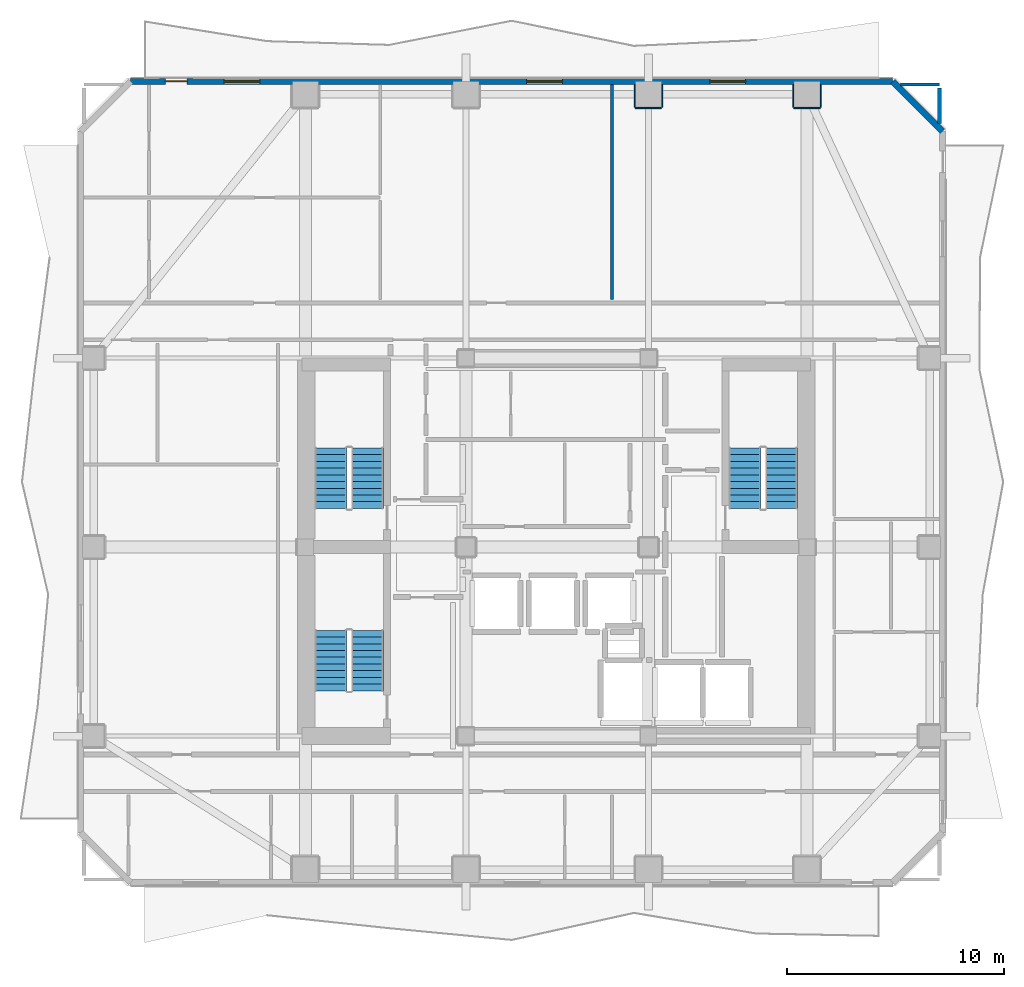
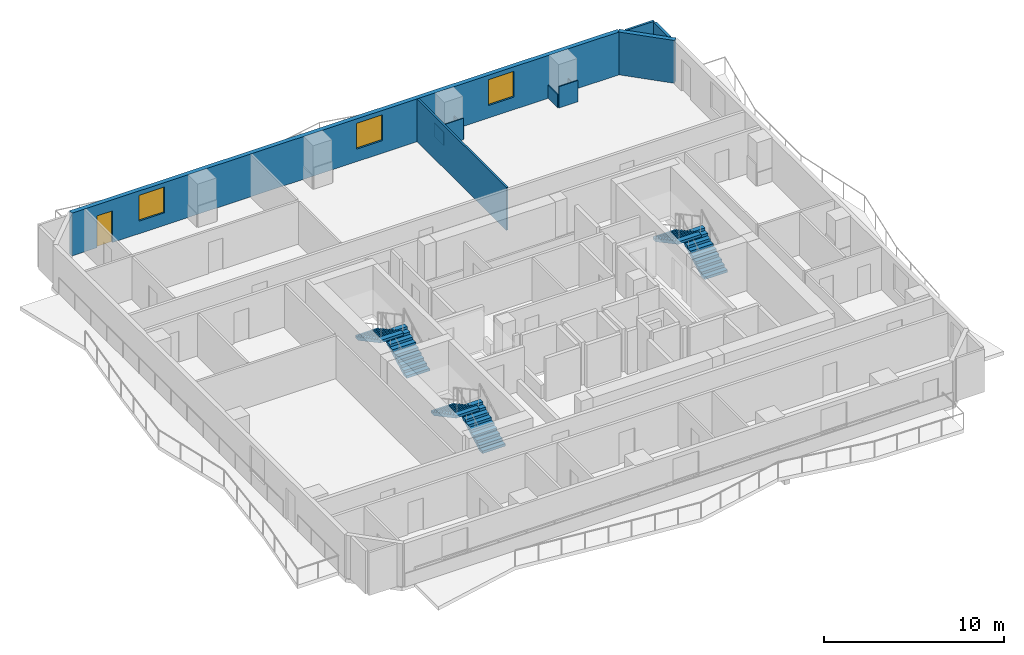
# One storey, part 6 of 10: 11 walls, 6 stair flights, 3 windows, 1 door, 4 openings, 3 elements without a shape of their own.
"""IFC4 building model written with IfcOpenShell, lengths in metres."""

import ifcopenshell
import ifcopenshell.guid

model = None  # the IFC model being written
_history = None  # IfcOwnerHistory: only IFC2X3 demands one
_inside = {}  # id of a spatial element -> (the spatial element, [elements in it])
_under = {}  # id of a project, library or spatial element -> (it, [spatial elements below it])
_declared = {}  # id of a project -> (the project, [libraries it declares])
_typed = {}  # id of a type object -> (the type object, [elements of that type])
_made_of = {}  # id of a material, layer set ... -> (it, [elements and type objects made of it])


def new_model(schema):
    """Start an empty IFC model of exactly this schema.

    Asked for "IFC4X3", IfcOpenShell would pick the latest addendum, in which some entities
    have other attributes; the version numbers below select the first issue.
    IFC2X3 requires an IfcOwnerHistory on every rooted entity: one is made here for all.
    """
    global model, _history
    if schema == "IFC4X3":
        model = ifcopenshell.file(schema_version=(4, 3, 0, 0))
    else:
        model = ifcopenshell.file(schema=schema)
    _inside.clear()
    _under.clear()
    _declared.clear()
    _typed.clear()
    _made_of.clear()
    _history = None
    if model.schema == "IFC2X3":
        org = make("IfcOrganization", Name="unknown")
        user = make(
            "IfcPersonAndOrganization",
            ThePerson=make("IfcPerson", FamilyName="unknown"),
            TheOrganization=org,
        )
        app = make(
            "IfcApplication",
            ApplicationDeveloper=org,
            Version="unknown",
            ApplicationFullName="unknown",
            ApplicationIdentifier="unknown",
        )
        _history = make(
            "IfcOwnerHistory",
            OwningUser=user,
            OwningApplication=app,
            ChangeAction="ADDED",
            CreationDate=0,
        )
    return model


def make(cls, **values):
    """One entity of the class cls with the attributes given. An attribute that is None is left unset."""
    return model.create_entity(
        cls, **{name: value for name, value in values.items() if value is not None}
    )


def rooted(cls, **values):
    """An entity with a GlobalId (a new one), such as an element, a storey or a relation."""
    return make(cls, GlobalId=ifcopenshell.guid.new(), OwnerHistory=_history, **values)


def si_unit(unit_type, name, prefix=None):
    """IfcSIUnit, for example si_unit("LENGTHUNIT", "METRE", prefix="MILLI")."""
    return make("IfcSIUnit", UnitType=unit_type, Prefix=prefix, Name=name)


def assignment(units):
    """IfcUnitAssignment: the units of a project."""
    return None if units is None else make("IfcUnitAssignment", Units=units)


def point(xyz):
    """IfcCartesianPoint."""
    return None if xyz is None else make("IfcCartesianPoint", Coordinates=xyz)


def direction(xyz):
    """IfcDirection."""
    return None if xyz is None else make("IfcDirection", DirectionRatios=xyz)


def frame(location, z_axis=None, x_axis=None):
    """IfcAxis2Placement3D, a coordinate frame: its origin and axes. An axis left out is left unset."""
    return make(
        "IfcAxis2Placement3D",
        Location=point(location),
        Axis=direction(z_axis),
        RefDirection=direction(x_axis),
    )


def frame_2d(location, x_axis=None):
    """IfcAxis2Placement2D, a coordinate frame in the plane: its origin and x axis."""
    return make(
        "IfcAxis2Placement2D", Location=point(location), RefDirection=direction(x_axis)
    )


def origin():
    """The frame at (0, 0, 0) with its axes left unset."""
    return frame((0.0, 0.0, 0.0))


def place(relative_to, where):
    """IfcLocalPlacement: puts the frame where relative to a parent placement (None: the world)."""
    return make(
        "IfcLocalPlacement", PlacementRelTo=relative_to, RelativePlacement=where
    )


def context(
    kind, dimensions, precision=None, world=None, true_north=None, identifier=None
):
    """IfcGeometricRepresentationContext, for example the 3D "Model" context."""
    return make(
        "IfcGeometricRepresentationContext",
        ContextIdentifier=identifier,
        ContextType=kind,
        CoordinateSpaceDimension=dimensions,
        Precision=precision,
        WorldCoordinateSystem=world,
        TrueNorth=true_north,
    )


def subcontext(parent, identifier, kind, view, scale=None):
    """IfcGeometricRepresentationSubContext, for example "Body" below "Model"."""
    return make(
        "IfcGeometricRepresentationSubContext",
        ContextIdentifier=identifier,
        ContextType=kind,
        ParentContext=parent,
        TargetScale=scale,
        TargetView=view,
    )


def project(units=None, contexts=None):
    """IfcProject with its units and contexts."""
    return rooted(
        "IfcProject",
        Name="project",
        RepresentationContexts=contexts,
        UnitsInContext=assignment(units),
    )


def spatial(cls, under=None, at=None, **own):
    """A site, building, storey or space (cls), placed at a placement, below another one or the project."""
    s = rooted(cls, ObjectPlacement=at, **own)
    if under is not None:
        _under.setdefault(under.id(), (under, []))[1].append(s)
    return s


def polyline(points):
    """IfcPolyline through the points."""
    return make("IfcPolyline", Points=[point(p) for p in points])


def profile(cls, at=None, kind="AREA", **sizes):
    """A parametric profile (cls). Its sizes go by their IFC names, for example OverallWidth=200.0."""
    return make(cls, ProfileType=kind, Position=at, **sizes)


def rectangle(**sizes):
    """IfcRectangleProfileDef."""
    return profile("IfcRectangleProfileDef", **sizes)


def outline(outer, holes=None, kind="AREA"):
    """IfcArbitraryClosedProfileDef: a profile drawn as a closed curve; with holes, ...WithVoids."""
    if holes is None:
        return make("IfcArbitraryClosedProfileDef", ProfileType=kind, OuterCurve=outer)
    return make(
        "IfcArbitraryProfileDefWithVoids",
        ProfileType=kind,
        OuterCurve=outer,
        InnerCurves=holes,
    )


def extrude(swept, where, along, depth):
    """IfcExtrudedAreaSolid: the profile swept, set in the frame where, extruded along a direction by depth."""
    return make(
        "IfcExtrudedAreaSolid",
        SweptArea=swept,
        Position=where,
        ExtrudedDirection=direction(along),
        Depth=depth,
    )


def shape(context_of_items, identifier, shape_type, items):
    """IfcShapeRepresentation: the items that make up one representation, for example the "Body"."""
    return make(
        "IfcShapeRepresentation",
        ContextOfItems=context_of_items,
        RepresentationIdentifier=identifier,
        RepresentationType=shape_type,
        Items=items,
    )


def material(Name=None, Category=None):
    """IfcMaterial."""
    return make("IfcMaterial", Name=Name, Category=Category)


def layer(
    of_material, thickness, ventilated=None, Name=None, Category=None, Priority=None
):
    """IfcMaterialLayer: one layer of a wall or slab, of a material (None: an air gap)."""
    return make(
        "IfcMaterialLayer",
        Material=of_material,
        LayerThickness=thickness,
        IsVentilated=ventilated,
        Name=Name,
        Category=Category,
        Priority=Priority,
    )


def layer_set(layers, Name=None):
    """IfcMaterialLayerSet."""
    return make("IfcMaterialLayerSet", MaterialLayers=layers, LayerSetName=Name)


def made_of(thing, what):
    """Note that an element or type object is made of a material, layer set ...; save() writes the relation."""
    if what is not None:
        _made_of.setdefault(what.id(), (what, []))[1].append(thing)
    return thing


def type_object(cls, material=None, **own):
    """A type object (cls), such as IfcWallType, which elements share."""
    return made_of(rooted(cls, **own), material)


def element(
    cls,
    number,
    at=None,
    inside=None,
    cuts=None,
    type_object=None,
    material=None,
    context=None,
    identifier="Body",
    shape_type=None,
    held_by="IfcProductDefinitionShape",
    body=None,
    shapes=None,
    **own,
):
    """One element of the class cls, such as IfcWall. Its Tag is "e" and its number.

    at: its placement. inside: the storey or other place that contains it. cuts: it is an
    opening in that element (IfcRelVoidsElement). A single representation is given by context,
    identifier, shape_type and body (its items); several are given by shapes. held_by: the class
    of the entity that holds the representations. save() writes the other relations.
    """
    e = rooted(cls, Tag="e%d" % number, ObjectPlacement=at, **own)
    if body is not None:
        shapes = [shape(context, identifier, shape_type, body)]
    if shapes is not None:
        e.Representation = make(held_by, Representations=shapes)
    if inside is not None:
        _inside.setdefault(inside.id(), (inside, []))[1].append(e)
    if cuts is not None:
        rooted(
            "IfcRelVoidsElement", RelatingBuildingElement=cuts, RelatedOpeningElement=e
        )
    if type_object is not None:
        _typed.setdefault(type_object.id(), (type_object, []))[1].append(e)
    return made_of(e, material)


def fill(opening, filler):
    """IfcRelFillsElement: the door or window that sits in an opening."""
    return rooted(
        "IfcRelFillsElement",
        RelatingOpeningElement=opening,
        RelatedBuildingElement=filler,
    )


def aggregate(whole, parts):
    """IfcRelAggregates: a whole, such as a stair, and the parts it consists of."""
    return rooted("IfcRelAggregates", RelatingObject=whole, RelatedObjects=parts)


def save(model, path):
    """Write the relations noted so far, then the file.

    IfcRelAggregates (storeys below a building ...), IfcRelContainedInSpatialStructure (elements
    in a storey), IfcRelDefinesByType, IfcRelAssociatesMaterial and IfcRelDeclares: one each for
    every whole, place, type object, material and project.
    """
    for whole, parts in _under.values():
        aggregate(whole, parts)
    for where, things in _inside.values():
        rooted(
            "IfcRelContainedInSpatialStructure",
            RelatedElements=things,
            RelatingStructure=where,
        )
    for kind, things in _typed.values():
        rooted("IfcRelDefinesByType", RelatedObjects=things, RelatingType=kind)
    for what, things in _made_of.values():
        rooted("IfcRelAssociatesMaterial", RelatedObjects=things, RelatingMaterial=what)
    for by, libraries in _declared.values():
        rooted("IfcRelDeclares", RelatingContext=by, RelatedDefinitions=libraries)
    model.write(path)


model = new_model("IFC4")

# Units and contexts
model_context = context("Model", 3, precision=1e-05, world=origin(), true_north=direction((0.0, 1.0)))
body_context = subcontext(model_context, "Body", "Model", "MODEL_VIEW")
ifc_project = project(units=[si_unit("LENGTHUNIT", "METRE"), si_unit("AREAUNIT", "SQUARE_METRE"), si_unit("VOLUMEUNIT", "CUBIC_METRE"), si_unit("PLANEANGLEUNIT", "RADIAN"), si_unit("MASSUNIT", "GRAM", prefix="KILO")], contexts=[model_context])

# Site, building, storey
site_placement = place(None, origin())
site = spatial("IfcSite", under=ifc_project, at=site_placement, CompositionType="ELEMENT")
building_placement = place(site_placement, origin())
building = spatial("IfcBuilding", under=site, at=building_placement, Name="Solanera Arch Residences", CompositionType="ELEMENT")
storey_placement = place(building_placement, frame((0.0, 0.0, 186.840087890625)))
storey = spatial("IfcBuildingStorey", under=building, at=storey_placement, Name="L54", CompositionType="ELEMENT", Elevation=186.840087890625)

# Walls
ifc_material_1 = material(Name="Fire-Rated Gypsum Stud Partition", Category="gypsum")
ifc_layer_1 = layer(ifc_material_1, 0.06005859375)
ifc_layer_set_1 = layer_set([ifc_layer_1], Name="Fire-Rated Gypsum Stud Partition")
wall_type_1 = type_object("IfcWallType", Name="Column Acoustic Furring Wall 60", PredefinedType="PARTITIONING", material=ifc_layer_set_1)
wall_1_placement = place(storey_placement, frame((28.60009765625, 50.91796875, 0.0), z_axis=(0.0, 0.0, 1.0), x_axis=(1.0, 0.0, 0.0)))
element("IfcWall", 1, at=wall_1_placement, inside=storey, type_object=wall_type_1, Name="L54 Column Furring 14S", PredefinedType="PARTITIONING", context=body_context, shape_type="SweptSolid", body=[
    extrude(rectangle(XDim=1.199951171875, YDim=0.06005859375, at=frame_2d((0.60009765625, 0.0))), origin(), (0.0, 0.0, 1.0), 1.449951171875),
])
for number, where, z_axis, x_axis, name in (
    (2, (28.568115234375, 50.949951171875, 0.0), (0.0, 0.0, 1.0), (0.0, 1.0, 0.0), "L54 Column Furring 14W"),
    (3, (29.83203125, 50.949951171875, 0.0), (0.0, 0.0, 1.0), (0.0, 1.0, 0.0), "L54 Column Furring 14E"),
):
    element("IfcWall", number, at=place(storey_placement, frame(where, z_axis=z_axis, x_axis=x_axis)), inside=storey, type_object=wall_type_1, Name=name, PredefinedType="PARTITIONING", context=body_context, shape_type="SweptSolid", body=[
        extrude(rectangle(XDim=1.0400390625, YDim=0.06005859375, at=frame_2d((0.52001953125, 0.0))), origin(), (0.0, 0.0, 1.0), 0.905029296875),
    ])
wall_2_placement = place(storey_placement, frame((35.89990234375, 50.91796875, 0.0), z_axis=(0.0, 0.0, 1.0), x_axis=(1.0, 0.0, 0.0)))
element("IfcWall", 4, at=wall_2_placement, inside=storey, type_object=wall_type_1, Name="L54 Column Furring 16S", PredefinedType="PARTITIONING", context=body_context, shape_type="SweptSolid", body=[
    extrude(rectangle(XDim=1.2001953125, YDim=0.06005859375, at=frame_2d((0.60009765625, 0.0))), origin(), (0.0, 0.0, 1.0), 1.449951171875),
])
for number, where, z_axis, x_axis, name in (
    (5, (35.867919921875, 50.949951171875, 0.0), (0.0, 0.0, 1.0), (0.0, 1.0, 0.0), "L54 Column Furring 16W"),
    (6, (37.132080078125, 50.949951171875, 0.0), (0.0, 0.0, 1.0), (0.0, 1.0, 0.0), "L54 Column Furring 16E"),
):
    element("IfcWall", number, at=place(storey_placement, frame(where, z_axis=z_axis, x_axis=x_axis)), inside=storey, type_object=wall_type_1, Name=name, PredefinedType="PARTITIONING", context=body_context, shape_type="SweptSolid", body=[
        extrude(rectangle(XDim=1.0400390625, YDim=0.06005859375, at=frame_2d((0.52001953125, 0.0))), origin(), (0.0, 0.0, 1.0), 0.905029296875),
    ])
ifc_material_2 = material(Name="Autoclaved Aerated Concrete Blockwork", Category="masonry")
ifc_layer_2 = layer(ifc_material_2, 0.179931640625)
ifc_layer_set_2 = layer_set([ifc_layer_2], Name="Autoclaved Aerated Concrete Blockwork")
wall_type_2 = type_object("IfcWallType", Name="Corridor Fire Partition 180", PredefinedType="PARTITIONING", material=ifc_layer_set_2)
wall_3_placement = place(storey_placement, frame((42.60009765625, 50.205078125, 0.0), z_axis=(0.0, 0.0, 1.0), x_axis=(0.0, 1.0, 0.0)))
element("IfcWall", 7, at=wall_3_placement, inside=storey, type_object=wall_type_2, Name="L54 Interior Partition V9 2", PredefinedType="PARTITIONING", context=body_context, shape_type="SweptSolid", body=[
    extrude(rectangle(XDim=1.626953125, YDim=0.179931640625, at=frame_2d((0.8134765625, 0.0))), origin(), (0.0, 0.0, 1.0), 2.89990234375),
])

# Wall, openings, door, windows
ifc_material_3 = material(Name="Precast Concrete C35/45", Category="concrete")
ifc_layer_3 = layer(ifc_material_3, 0.280029296875)
ifc_layer_set_3 = layer_set([ifc_layer_3], Name="Precast Concrete C35/45")
wall_type_3 = type_object("IfcWallType", Name="Exterior Wall Precast Masonry-Frame 280", PredefinedType="STANDARD", material=ifc_layer_set_3)
wall_4_placement = place(storey_placement, frame((5.35498046875, 52.14501953125, 0.0), z_axis=(0.0, 0.0, 1.0), x_axis=(1.0, 0.0, 0.0)))
wall_4 = element("IfcWall", 8, at=wall_4_placement, inside=storey, type_object=wall_type_3, Name="L54 Tower Exterior Precast Masonry-Frame Wall N", PredefinedType="STANDARD", context=body_context, shape_type="SweptSolid", body=[
    extrude(rectangle(XDim=35.090087890625, YDim=0.280029296875, at=frame_2d((17.544921875, 0.0))), origin(), (0.0, 0.0, 1.0), 2.89990234375),
])
opening_1_placement = place(wall_4_placement, frame((1.60498046875, 0.0, 0.0)))
opening_1 = element("IfcOpeningElement", 9, at=opening_1_placement, cuts=wall_4, Name="Opening DB-01", PredefinedType="OPENING", context=body_context, shape_type="SweptSolid", body=[
    extrude(rectangle(XDim=1.0, YDim=2.14990234375, at=frame_2d((0.5, 1.074951171875))), frame((0.0, 0.14990234375, 0.0), z_axis=(0.0, -1.0, 0.0), x_axis=(1.0, 0.0, 0.0)), (0.0, 0.0, 1.0), 0.3),
])
opening_2_placement = place(wall_4_placement, frame((4.300048828125, 0.0, 0.85009765625)))
opening_2 = element("IfcOpeningElement", 10, at=opening_2_placement, cuts=wall_4, Name="Opening W-08", PredefinedType="OPENING", context=body_context, shape_type="SweptSolid", body=[
    extrude(rectangle(XDim=1.64990234375, YDim=1.75, at=frame_2d((0.824951171875, 0.875))), frame((0.0, 0.14990234375, 0.0), z_axis=(0.0, -1.0, 0.0), x_axis=(1.0, 0.0, 0.0)), (0.0, 0.0, 1.0), 0.3),
])
opening_3_placement = place(wall_4_placement, frame((18.22998046875, 0.0, 0.85009765625)))
opening_3 = element("IfcOpeningElement", 11, at=opening_3_placement, cuts=wall_4, Name="Opening W-08", PredefinedType="OPENING", context=body_context, shape_type="SweptSolid", body=[
    extrude(rectangle(XDim=1.64990234375, YDim=1.75, at=frame_2d((0.824951171875, 0.875))), frame((0.0, 0.14990234375, 0.0), z_axis=(0.0, -1.0, 0.0), x_axis=(1.0, 0.0, 0.0)), (0.0, 0.0, 1.0), 0.3),
])
opening_4_placement = place(wall_4_placement, frame((26.669921875, 0.0, 0.85009765625)))
opening_4 = element("IfcOpeningElement", 12, at=opening_4_placement, cuts=wall_4, Name="Opening W-08", PredefinedType="OPENING", context=body_context, shape_type="SweptSolid", body=[
    extrude(rectangle(XDim=1.64990234375, YDim=1.75, at=frame_2d((0.824951171875, 0.875))), frame((0.0, 0.14990234375, 0.0), z_axis=(0.0, -1.0, 0.0), x_axis=(1.0, 0.0, 0.0)), (0.0, 0.0, 1.0), 0.3),
])
ifc_material_4 = material(Name="Anodised Aluminium Alloy 6063-T6", Category="aluminium")
door_type = type_object("IfcDoorType", Name="Glazed Balcony Swing Door DB-01", OperationType="NOTDEFINED", PredefinedType="DOOR", material=ifc_material_4)
door_placement = place(opening_1_placement, origin())
door = element("IfcDoor", 13, at=door_placement, inside=storey, type_object=door_type, Name="DR-L54-OUT-02", OperationType="SINGLE_SWING_LEFT", OverallHeight=2.14990234375, OverallWidth=1.0, PredefinedType="DOOR", context=body_context, shape_type="SweptSolid", body=[
    extrude(rectangle(XDim=1.0, YDim=2.14990234375, at=frame_2d((0.5, 1.074951171875))), frame((0.0, 0.02490234375, 0.0), z_axis=(0.0, -1.0, 0.0), x_axis=(1.0, 0.0, 0.0)), (0.0, 0.0, 1.0), 0.050048828125),
])
fill(opening_1, door)
ifc_material_5 = material(Name="Double Glazed Low-E Laminated Glass", Category="glass")
window_type = type_object("IfcWindowType", Name="Punched Window W-08", PartitioningType="DOUBLE_PANEL_HORIZONTAL", PredefinedType="WINDOW", material=ifc_material_5)
window_1_placement = place(opening_2_placement, origin())
window_1 = element("IfcWindow", 14, at=window_1_placement, inside=storey, type_object=window_type, Name="L54 5403-LIV Punched Window", OverallHeight=1.75, OverallWidth=1.64990234375, PartitioningType="SINGLE_PANEL", PredefinedType="WINDOW", context=body_context, shape_type="SweptSolid", body=[
    extrude(rectangle(XDim=1.64990234375, YDim=1.75, at=frame_2d((0.824951171875, 0.875))), frame((0.0, 0.030029296875, 0.0), z_axis=(0.0, -1.0, 0.0), x_axis=(1.0, 0.0, 0.0)), (0.0, 0.0, 1.0), 0.06005859375),
])
fill(opening_2, window_1)
window_2_placement = place(opening_3_placement, origin())
window_2 = element("IfcWindow", 15, at=window_2_placement, inside=storey, type_object=window_type, Name="L54 AMN-MTG1 Punched Window", OverallHeight=1.75, OverallWidth=1.64990234375, PartitioningType="SINGLE_PANEL", PredefinedType="WINDOW", context=body_context, shape_type="SweptSolid", body=[
    extrude(rectangle(XDim=1.64990234375, YDim=1.75, at=frame_2d((0.824951171875, 0.875))), frame((0.0, 0.030029296875, 0.0), z_axis=(0.0, -1.0, 0.0), x_axis=(1.0, 0.0, 0.0)), (0.0, 0.0, 1.0), 0.06005859375),
])
fill(opening_3, window_2)
window_3_placement = place(opening_4_placement, origin())
window_3 = element("IfcWindow", 16, at=window_3_placement, inside=storey, type_object=window_type, Name="L54 AMN-MTG2 Punched Window", OverallHeight=1.75, OverallWidth=1.64990234375, PartitioningType="SINGLE_PANEL", PredefinedType="WINDOW", context=body_context, shape_type="SweptSolid", body=[
    extrude(rectangle(XDim=1.64990234375, YDim=1.75, at=frame_2d((0.824951171875, 0.875))), frame((0.0, 0.030029296875, 0.0), z_axis=(0.0, -1.0, 0.0), x_axis=(1.0, 0.0, 0.0)), (0.0, 0.0, 1.0), 0.06005859375),
])
fill(opening_4, window_3)

# Walls
wall_5_placement = place(storey_placement, frame((40.445068359375, 52.14501953125, 0.0), z_axis=(0.0, 0.0, 1.0), x_axis=(0.707106781187, -0.707106781187, 0.0)))
element("IfcWall", 17, at=wall_5_placement, inside=storey, type_object=wall_type_3, Name="L54 Tower Exterior Precast Masonry-Frame Wall CH3", PredefinedType="STANDARD", context=body_context, shape_type="SweptSolid", body=[
    extrude(rectangle(XDim=3.252685546875, YDim=0.280029296875, at=frame_2d((1.62646484375, 0.0))), origin(), (0.0, 0.0, 1.0), 2.89990234375),
])
ifc_material_6 = material(Name="Fire-Rated Gypsum Stud Partition", Category="gypsum")
ifc_layer_4 = layer(ifc_material_6, 0.1201171875)
ifc_layer_set_4 = layer_set([ifc_layer_4], Name="Fire-Rated Gypsum Stud Partition")
wall_type_4 = type_object("IfcWallType", Name="Unit Drywall Partition 120", PredefinedType="PARTITIONING", material=ifc_layer_set_4)
wall_6_placement = place(storey_placement, frame((27.52001953125, 42.10791015625, 0.0), z_axis=(0.0, 0.0, 1.0), x_axis=(0.0, 1.0, 0.0)))
element("IfcWall", 18, at=wall_6_placement, inside=storey, type_object=wall_type_4, Name="L54 Interior Partition V23", PredefinedType="PARTITIONING", context=body_context, shape_type="SweptSolid", body=[
    extrude(rectangle(XDim=9.885009765625, YDim=0.1201171875, at=frame_2d((4.9423828125, 0.0))), origin(), (0.0, 0.0, 1.0), 2.89990234375),
])
ifc_material_7 = material(Name="Autoclaved Aerated Concrete Blockwork", Category="masonry")
ifc_layer_5 = layer(ifc_material_7, 0.139892578125)
ifc_layer_set_5 = layer_set([ifc_layer_5], Name="Autoclaved Aerated Concrete Blockwork")
wall_type_5 = type_object("IfcWallType", Name="Wet-Room Partition 140", PredefinedType="PARTITIONING", material=ifc_layer_set_5)
wall_7_placement = place(storey_placement, frame((40.804931640625, 52.0, 0.0), z_axis=(0.0, 0.0, 1.0), x_axis=(1.0, 0.0, 0.0)))
element("IfcWall", 19, at=wall_7_placement, inside=storey, type_object=wall_type_5, Name="L54 Interior Partition H18 2", PredefinedType="PARTITIONING", context=body_context, shape_type="SweptSolid", body=[
    extrude(rectangle(XDim=1.795166015625, YDim=0.139892578125, at=frame_2d((0.8974609375, 0.0))), origin(), (0.0, 0.0, 1.0), 2.89990234375),
])

# Stair, stair flights
ifc_material_8 = material(Name="Concrete C40/50 (f'c = 45 MPa)", Category="concrete")
stair_type = type_object("IfcStairType", Name="Tower Dogleg Exit Stair 1480", PredefinedType="HALF_TURN_STAIR", material=ifc_material_8)
stair_1_placement = place(storey_placement, origin())
stair_1 = element("IfcStair", 20, at=stair_1_placement, inside=storey, type_object=stair_type, Name="L54 Tower Core Exit Stair 1", PredefinedType="HALF_TURN_STAIR")
ifc_material_9 = material(Name="Concrete C40/50 (f'c = 45 MPa)", Category="concrete")
stair_flight_type = type_object("IfcStairFlightType", Name="Tower Precast Stair Flight 1480", PredefinedType="STRAIGHT", material=ifc_material_9)
stair_flight_1_placement = place(storey_placement, frame((16.260009765625, 32.47998046875, 0.0), z_axis=(0.0, 0.0, 1.0), x_axis=(0.0, 1.0, 0.0)))
stair_flight_1 = element("IfcStairFlight", 21, at=stair_flight_1_placement, type_object=stair_flight_type, Name="ST-T1 flight 1", NumberOfRisers=10, NumberOfTreads=9, PredefinedType="STRAIGHT", RiserHeight=0.166, TreadLength=0.31, context=body_context, shape_type="SweptSolid", body=[
    extrude(outline(polyline([(0.0, 0.0), (0.0, 0.166015625), (0.31005859375, 0.166015625), (0.31005859375, 0.33203125), (0.6201171875, 0.33203125), (0.6201171875, 0.498046875), (0.929931640625, 0.498046875), (0.929931640625, 0.6640625), (1.239990234375, 0.6640625), (1.239990234375, 0.830078125), (1.550048828125, 0.830078125), (1.550048828125, 0.99609375), (1.860107421875, 0.99609375), (1.860107421875, 1.162109375), (2.169921875, 1.162109375), (2.169921875, 1.327880859375), (2.47998046875, 1.327880859375), (2.47998046875, 1.493896484375), (2.7900390625, 1.493896484375), (2.7900390625, 1.659912109375), (2.7900390625, 1.323974609375), (0.317626953125, 0.0), (0.0, 0.0)])), frame((0.0, 0.739990234375, 0.0), z_axis=(0.0, -1.0, 0.0), x_axis=(1.0, 0.0, 0.0)), (0.0, 0.0, 1.0), 1.47998046875),
])
stair_flight_2_placement = place(storey_placement, frame((14.580078125, 35.27001953125, 1.659912109375), z_axis=(0.0, 0.0, 1.0), x_axis=(0.0, -1.0, 0.0)))
stair_flight_2 = element("IfcStairFlight", 22, at=stair_flight_2_placement, type_object=stair_flight_type, Name="ST-T1 flight 2", NumberOfRisers=10, NumberOfTreads=9, PredefinedType="STRAIGHT", RiserHeight=0.166, TreadLength=0.31, context=body_context, shape_type="SweptSolid", body=[
    extrude(outline(polyline([(0.0, 0.0), (0.0, 0.166015625), (0.31005859375, 0.166015625), (0.31005859375, 0.33203125), (0.6201171875, 0.33203125), (0.6201171875, 0.498046875), (0.929931640625, 0.498046875), (0.929931640625, 0.6640625), (1.239990234375, 0.6640625), (1.239990234375, 0.830078125), (1.550048828125, 0.830078125), (1.550048828125, 0.99609375), (1.860107421875, 0.99609375), (1.860107421875, 1.162109375), (2.169921875, 1.162109375), (2.169921875, 1.327880859375), (2.47998046875, 1.327880859375), (2.47998046875, 1.493896484375), (2.7900390625, 1.493896484375), (2.7900390625, 1.659912109375), (2.7900390625, 1.323974609375), (0.317626953125, 0.0), (0.0, 0.0)])), frame((0.0, 0.739990234375, 0.0), z_axis=(0.0, -1.0, 0.0), x_axis=(1.0, 0.0, 0.0)), (0.0, 0.0, 1.0), 1.47998046875),
])
aggregate(stair_1, [stair_flight_1, stair_flight_2])

stair_2_placement = place(storey_placement, origin())
stair_2 = element("IfcStair", 23, at=stair_2_placement, inside=storey, type_object=stair_type, Name="L54 Tower Core Exit Stair 2", PredefinedType="HALF_TURN_STAIR")
stair_flight_3_placement = place(storey_placement, frame((35.320068359375, 32.47998046875, 0.0), z_axis=(0.0, 0.0, 1.0), x_axis=(0.0, 1.0, 0.0)))
stair_flight_3 = element("IfcStairFlight", 24, at=stair_flight_3_placement, type_object=stair_flight_type, Name="ST-T2 flight 1", NumberOfRisers=10, NumberOfTreads=9, PredefinedType="STRAIGHT", RiserHeight=0.166, TreadLength=0.31, context=body_context, shape_type="SweptSolid", body=[
    extrude(outline(polyline([(0.0, 0.0), (0.0, 0.166015625), (0.31005859375, 0.166015625), (0.31005859375, 0.33203125), (0.6201171875, 0.33203125), (0.6201171875, 0.498046875), (0.929931640625, 0.498046875), (0.929931640625, 0.6640625), (1.239990234375, 0.6640625), (1.239990234375, 0.830078125), (1.550048828125, 0.830078125), (1.550048828125, 0.99609375), (1.860107421875, 0.99609375), (1.860107421875, 1.162109375), (2.169921875, 1.162109375), (2.169921875, 1.327880859375), (2.47998046875, 1.327880859375), (2.47998046875, 1.493896484375), (2.7900390625, 1.493896484375), (2.7900390625, 1.659912109375), (2.7900390625, 1.323974609375), (0.317626953125, 0.0), (0.0, 0.0)])), frame((0.0, 0.739990234375, 0.0), z_axis=(0.0, -1.0, 0.0), x_axis=(1.0, 0.0, 0.0)), (0.0, 0.0, 1.0), 1.47998046875),
])
stair_flight_4_placement = place(storey_placement, frame((33.639892578125, 35.27001953125, 1.659912109375), z_axis=(0.0, 0.0, 1.0), x_axis=(0.0, -1.0, 0.0)))
stair_flight_4 = element("IfcStairFlight", 25, at=stair_flight_4_placement, type_object=stair_flight_type, Name="ST-T2 flight 2", NumberOfRisers=10, NumberOfTreads=9, PredefinedType="STRAIGHT", RiserHeight=0.166, TreadLength=0.31, context=body_context, shape_type="SweptSolid", body=[
    extrude(outline(polyline([(0.0, 0.0), (0.0, 0.166015625), (0.31005859375, 0.166015625), (0.31005859375, 0.33203125), (0.6201171875, 0.33203125), (0.6201171875, 0.498046875), (0.929931640625, 0.498046875), (0.929931640625, 0.6640625), (1.239990234375, 0.6640625), (1.239990234375, 0.830078125), (1.550048828125, 0.830078125), (1.550048828125, 0.99609375), (1.860107421875, 0.99609375), (1.860107421875, 1.162109375), (2.169921875, 1.162109375), (2.169921875, 1.327880859375), (2.47998046875, 1.327880859375), (2.47998046875, 1.493896484375), (2.7900390625, 1.493896484375), (2.7900390625, 1.659912109375), (2.7900390625, 1.323974609375), (0.317626953125, 0.0), (0.0, 0.0)])), frame((0.0, 0.739990234375, 0.0), z_axis=(0.0, -1.0, 0.0), x_axis=(1.0, 0.0, 0.0)), (0.0, 0.0, 1.0), 1.47998046875),
])
aggregate(stair_2, [stair_flight_3, stair_flight_4])

stair_3_placement = place(storey_placement, origin())
stair_3 = element("IfcStair", 26, at=stair_3_placement, inside=storey, type_object=stair_type, Name="L54 Tower Core Exit Stair 3", PredefinedType="HALF_TURN_STAIR")
stair_flight_5_placement = place(storey_placement, frame((16.260009765625, 24.080078125, 0.0), z_axis=(0.0, 0.0, 1.0), x_axis=(0.0, 1.0, 0.0)))
stair_flight_5 = element("IfcStairFlight", 27, at=stair_flight_5_placement, type_object=stair_flight_type, Name="ST-T3 flight 1", NumberOfRisers=10, NumberOfTreads=9, PredefinedType="STRAIGHT", RiserHeight=0.166, TreadLength=0.31, context=body_context, shape_type="SweptSolid", body=[
    extrude(outline(polyline([(0.0, 0.0), (0.0, 0.166015625), (0.31005859375, 0.166015625), (0.31005859375, 0.33203125), (0.6201171875, 0.33203125), (0.6201171875, 0.498046875), (0.929931640625, 0.498046875), (0.929931640625, 0.6640625), (1.239990234375, 0.6640625), (1.239990234375, 0.830078125), (1.550048828125, 0.830078125), (1.550048828125, 0.99609375), (1.860107421875, 0.99609375), (1.860107421875, 1.162109375), (2.169921875, 1.162109375), (2.169921875, 1.327880859375), (2.47998046875, 1.327880859375), (2.47998046875, 1.493896484375), (2.7900390625, 1.493896484375), (2.7900390625, 1.659912109375), (2.7900390625, 1.323974609375), (0.317626953125, 0.0), (0.0, 0.0)])), frame((0.0, 0.739990234375, 0.0), z_axis=(0.0, -1.0, 0.0), x_axis=(1.0, 0.0, 0.0)), (0.0, 0.0, 1.0), 1.47998046875),
])
stair_flight_6_placement = place(storey_placement, frame((14.580078125, 26.8701171875, 1.659912109375), z_axis=(0.0, 0.0, 1.0), x_axis=(0.0, -1.0, 0.0)))
stair_flight_6 = element("IfcStairFlight", 28, at=stair_flight_6_placement, type_object=stair_flight_type, Name="ST-T3 flight 2", NumberOfRisers=10, NumberOfTreads=9, PredefinedType="STRAIGHT", RiserHeight=0.166, TreadLength=0.31, context=body_context, shape_type="SweptSolid", body=[
    extrude(outline(polyline([(0.0, 0.0), (0.0, 0.166015625), (0.31005859375, 0.166015625), (0.31005859375, 0.33203125), (0.6201171875, 0.33203125), (0.6201171875, 0.498046875), (0.929931640625, 0.498046875), (0.929931640625, 0.6640625), (1.239990234375, 0.6640625), (1.239990234375, 0.830078125), (1.550048828125, 0.830078125), (1.550048828125, 0.99609375), (1.860107421875, 0.99609375), (1.860107421875, 1.162109375), (2.169921875, 1.162109375), (2.169921875, 1.327880859375), (2.47998046875, 1.327880859375), (2.47998046875, 1.493896484375), (2.7900390625, 1.493896484375), (2.7900390625, 1.659912109375), (2.7900390625, 1.323974609375), (0.317626953125, 0.0), (0.0, 0.0)])), frame((0.0, 0.739990234375, 0.0), z_axis=(0.0, -1.0, 0.0), x_axis=(1.0, 0.0, 0.0)), (0.0, 0.0, 1.0), 1.47998046875),
])
aggregate(stair_3, [stair_flight_5, stair_flight_6])

save(model, "model.ifc")
